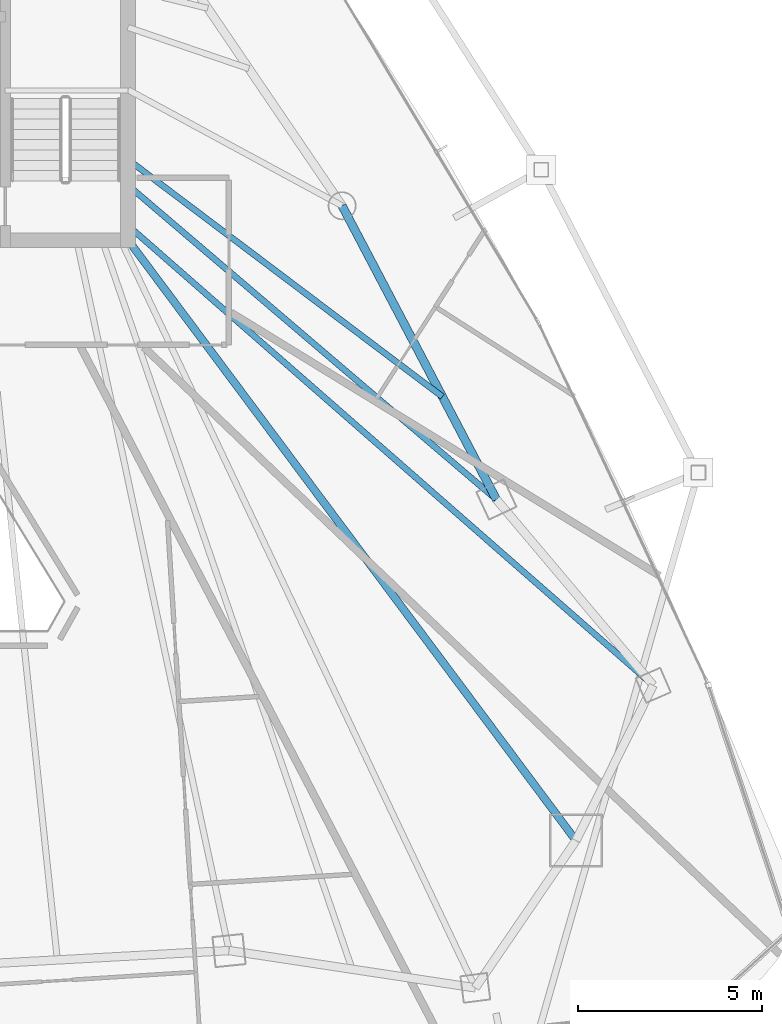
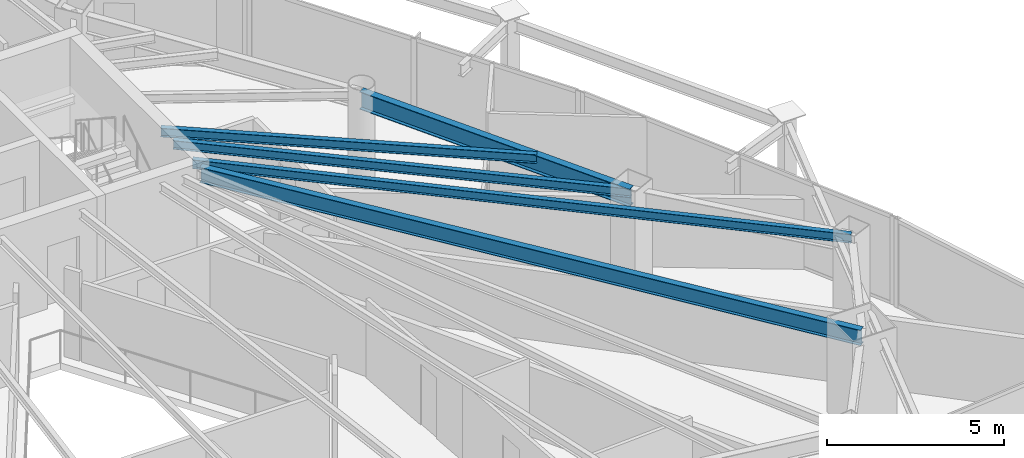
# One storey, part 16 of 29: 5 beams.
"""IFC4 building model written with IfcOpenShell, lengths in metres."""

from ifc_helpers import new_model, si_unit, direction, frame, origin, origin_2d, place, context, subcontext, project, spatial, i_section, extrude, material, material_profile, profile_set, type_object, element, save


model = new_model("IFC4")

# Units and contexts
model_context = context("Model", 3, precision=1e-05, world=origin(), true_north=direction((0.0, 1.0)))
body_context = subcontext(model_context, "Body", "Model", "MODEL_VIEW")
ifc_project = project(units=[si_unit("LENGTHUNIT", "METRE"), si_unit("AREAUNIT", "SQUARE_METRE"), si_unit("VOLUMEUNIT", "CUBIC_METRE"), si_unit("PLANEANGLEUNIT", "RADIAN"), si_unit("MASSUNIT", "GRAM", prefix="KILO")], contexts=[model_context])

# Site, building, storey
site_placement = place(None, origin())
site = spatial("IfcSite", under=ifc_project, at=site_placement, CompositionType="ELEMENT")
building_placement = place(site_placement, origin())
building = spatial("IfcBuilding", under=site, at=building_placement, Name="Orvanel Arch Residences", CompositionType="ELEMENT")
storey_placement = place(building_placement, frame((0.0, 0.0, 177.050048828125)))
storey = spatial("IfcBuildingStorey", under=building, at=storey_placement, Name="L50", CompositionType="ELEMENT", Elevation=177.050048828125)

# Beams
ifc_material = material(Name="Structural steel AS/NZS 3679.1 Grade 300 (300 MPa)", Category="steel")
ifc_material_profile_1 = material_profile(ifc_material, i_section(OverallWidth=0.208984375, OverallDepth=0.532958984375, WebThickness=0.01025390625, FlangeThickness=0.015625, at=origin_2d()), Name="530UB92.4")
ifc_profile_set_1 = profile_set([ifc_material_profile_1], Name="Structural steel AS/NZS 3679.1 Grade 300 (300 MPa)")
beam_type_1 = type_object("IfcBeamType", Name="BG-530UB", PredefinedType="BEAM", material=ifc_profile_set_1)
beam_1_placement = place(storey_placement, frame((39.625, 26.675048828125, 2.7939453125), z_axis=(0.597893733742, -0.801575375839, 0.0), x_axis=(0.801575375839, 0.597893733742, 0.0)))
element("IfcBeam", 1, at=beam_1_placement, inside=storey, type_object=beam_type_1, Name="L50 South-East Radial Girder", PredefinedType="BEAM", context=body_context, shape_type="SweptSolid", body=[
    extrude(i_section(OverallWidth=0.208984375, OverallDepth=0.532958984375, WebThickness=0.01025390625, FlangeThickness=0.015625, at=origin_2d()), origin(), (0.0, 0.0, 1.0), 20.36474609375),
])
ifc_material_profile_2 = material_profile(ifc_material, i_section(OverallWidth=0.1650390625, OverallDepth=0.303955078125, WebThickness=0.006103515625, FlangeThickness=0.01025390625, at=origin_2d()), Name="310UB40.4")
ifc_profile_set_2 = profile_set([ifc_material_profile_2], Name="Structural steel AS/NZS 3679.1 Grade 300 (300 MPa)")
beam_type_2 = type_object("IfcBeamType", Name="BJ-310UB", PredefinedType="JOIST", material=ifc_profile_set_2)
beam_2_placement = place(storey_placement, frame((39.60009765625, 28.199951171875, 2.907958984375), z_axis=(0.760821315761, -0.648961420644, 0.0), x_axis=(0.648961420644, 0.760821315761, 0.0)))
element("IfcBeam", 2, at=beam_2_placement, inside=storey, type_object=beam_type_2, Name="L50 E Wing Floor Joist", PredefinedType="JOIST", context=body_context, shape_type="SweptSolid", body=[
    extrude(i_section(OverallWidth=0.1650390625, OverallDepth=0.303955078125, WebThickness=0.006103515625, FlangeThickness=0.01025390625, at=origin_2d()), origin(), (0.0, 0.0, 1.0), 13.18701171875),
])
beam_3_placement = place(storey_placement, frame((39.60009765625, 27.10009765625, 2.907958984375), z_axis=(0.752493154183, -0.658600070534, 0.0), x_axis=(0.658600070534, 0.752493154183, 0.0)))
element("IfcBeam", 3, at=beam_3_placement, inside=storey, type_object=beam_type_2, Name="L50 ME Wing Floor Joist", PredefinedType="JOIST", context=body_context, shape_type="SweptSolid", body=[
    extrude(i_section(OverallWidth=0.1650390625, OverallDepth=0.303955078125, WebThickness=0.006103515625, FlangeThickness=0.01025390625, at=origin_2d()), origin(), (0.0, 0.0, 1.0), 19.010009765625),
])
beam_4_placement = place(storey_placement, frame((39.60009765625, 28.89990234375, 2.907958984375), z_axis=(0.798363428886, -0.602175917334, 0.0), x_axis=(0.602175917334, 0.798363428886, 0.0)))
element("IfcBeam", 4, at=beam_4_placement, inside=storey, type_object=beam_type_2, Name="L50 CTE Wing Floor Joist", PredefinedType="JOIST", context=body_context, shape_type="SweptSolid", body=[
    extrude(i_section(OverallWidth=0.1650390625, OverallDepth=0.303955078125, WebThickness=0.006103515625, FlangeThickness=0.01025390625, at=origin_2d()), origin(), (0.0, 0.0, 1.0), 10.724365234375),
])
ifc_material_profile_3 = material_profile(ifc_material, i_section(OverallWidth=0.22900390625, OverallDepth=0.612060546875, WebThickness=0.011962890625, FlangeThickness=0.01953125, at=origin_2d()), Name="610UB125")
ifc_profile_set_3 = profile_set([ifc_material_profile_3], Name="Structural steel AS/NZS 3679.1 Grade 300 (300 MPa)")
beam_type_3 = type_object("IfcBeamType", Name="SP-610UB", PredefinedType="SPANDREL", material=ifc_profile_set_3)
beam_5_placement = place(storey_placement, frame((49.633056640625, 19.64208984375, 2.75390625), z_axis=(-0.465064762793, 0.885276660942, 0.0), x_axis=(-0.885276660942, -0.465064762793, 0.0)))
element("IfcBeam", 5, at=beam_5_placement, inside=storey, type_object=beam_type_3, Name="L50 Perimeter Spandrel Beam 11", PredefinedType="SPANDREL", context=body_context, shape_type="SweptSolid", body=[
    extrude(i_section(OverallWidth=0.22900390625, OverallDepth=0.612060546875, WebThickness=0.011962890625, FlangeThickness=0.01953125, at=origin_2d()), origin(), (0.0, 0.0, 1.0), 9.03564453125),
])

save(model, "model.ifc")
